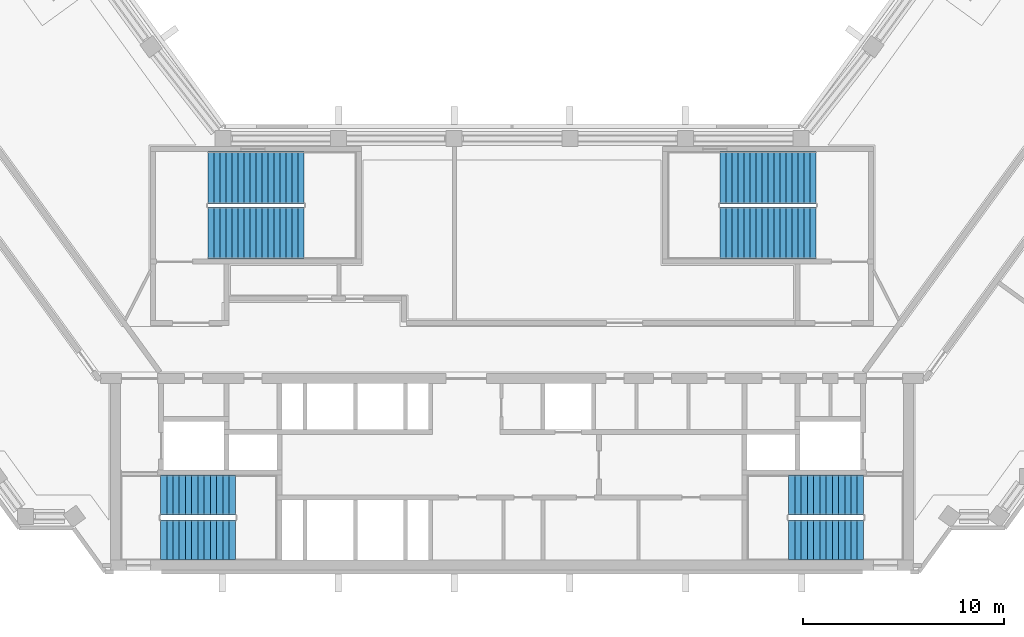
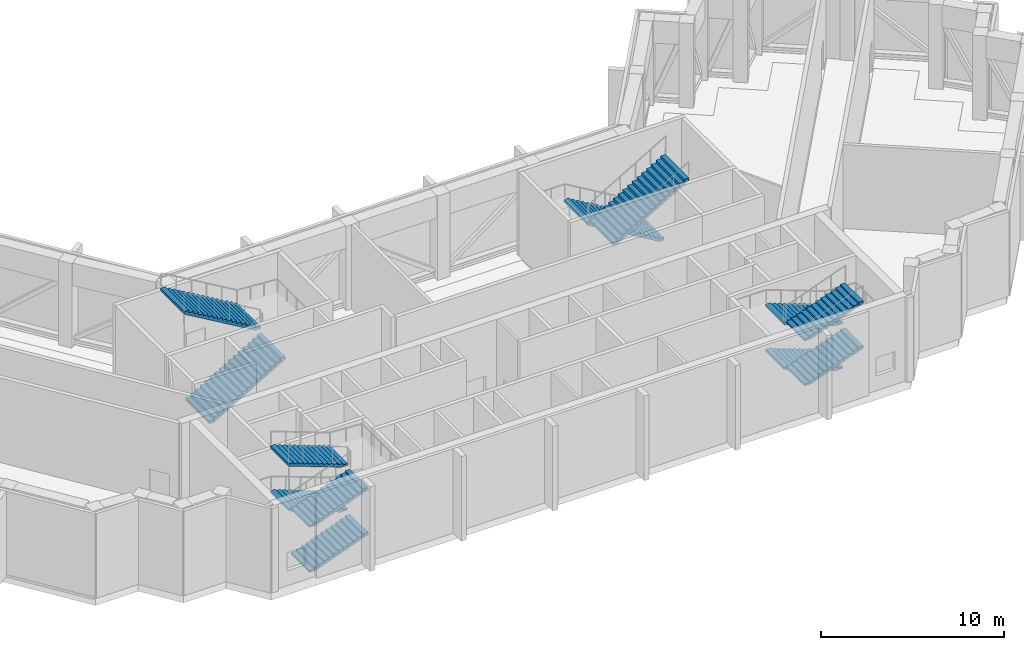
# One storey, part 12 of 15: 12 stair flights, 4 elements without a shape of their own.
"""IFC4 building model written with IfcOpenShell, lengths in metres."""

import ifcopenshell
import ifcopenshell.guid

model = None  # the IFC model being written
_history = None  # IfcOwnerHistory: only IFC2X3 demands one
_inside = {}  # id of a spatial element -> (the spatial element, [elements in it])
_under = {}  # id of a project, library or spatial element -> (it, [spatial elements below it])
_declared = {}  # id of a project -> (the project, [libraries it declares])
_typed = {}  # id of a type object -> (the type object, [elements of that type])
_made_of = {}  # id of a material, layer set ... -> (it, [elements and type objects made of it])


def new_model(schema):
    """Start an empty IFC model of exactly this schema.

    Asked for "IFC4X3", IfcOpenShell would pick the latest addendum, in which some entities
    have other attributes; the version numbers below select the first issue.
    IFC2X3 requires an IfcOwnerHistory on every rooted entity: one is made here for all.
    """
    global model, _history
    if schema == "IFC4X3":
        model = ifcopenshell.file(schema_version=(4, 3, 0, 0))
    else:
        model = ifcopenshell.file(schema=schema)
    _inside.clear()
    _under.clear()
    _declared.clear()
    _typed.clear()
    _made_of.clear()
    _history = None
    if model.schema == "IFC2X3":
        org = make("IfcOrganization", Name="unknown")
        user = make(
            "IfcPersonAndOrganization",
            ThePerson=make("IfcPerson", FamilyName="unknown"),
            TheOrganization=org,
        )
        app = make(
            "IfcApplication",
            ApplicationDeveloper=org,
            Version="unknown",
            ApplicationFullName="unknown",
            ApplicationIdentifier="unknown",
        )
        _history = make(
            "IfcOwnerHistory",
            OwningUser=user,
            OwningApplication=app,
            ChangeAction="ADDED",
            CreationDate=0,
        )
    return model


def make(cls, **values):
    """One entity of the class cls with the attributes given. An attribute that is None is left unset."""
    return model.create_entity(
        cls, **{name: value for name, value in values.items() if value is not None}
    )


def rooted(cls, **values):
    """An entity with a GlobalId (a new one), such as an element, a storey or a relation."""
    return make(cls, GlobalId=ifcopenshell.guid.new(), OwnerHistory=_history, **values)


def si_unit(unit_type, name, prefix=None):
    """IfcSIUnit, for example si_unit("LENGTHUNIT", "METRE", prefix="MILLI")."""
    return make("IfcSIUnit", UnitType=unit_type, Prefix=prefix, Name=name)


def assignment(units):
    """IfcUnitAssignment: the units of a project."""
    return None if units is None else make("IfcUnitAssignment", Units=units)


def point(xyz):
    """IfcCartesianPoint."""
    return None if xyz is None else make("IfcCartesianPoint", Coordinates=xyz)


def direction(xyz):
    """IfcDirection."""
    return None if xyz is None else make("IfcDirection", DirectionRatios=xyz)


def frame(location, z_axis=None, x_axis=None):
    """IfcAxis2Placement3D, a coordinate frame: its origin and axes. An axis left out is left unset."""
    return make(
        "IfcAxis2Placement3D",
        Location=point(location),
        Axis=direction(z_axis),
        RefDirection=direction(x_axis),
    )


def origin():
    """The frame at (0, 0, 0) with its axes left unset."""
    return frame((0.0, 0.0, 0.0))


def place(relative_to, where):
    """IfcLocalPlacement: puts the frame where relative to a parent placement (None: the world)."""
    return make(
        "IfcLocalPlacement", PlacementRelTo=relative_to, RelativePlacement=where
    )


def context(
    kind, dimensions, precision=None, world=None, true_north=None, identifier=None
):
    """IfcGeometricRepresentationContext, for example the 3D "Model" context."""
    return make(
        "IfcGeometricRepresentationContext",
        ContextIdentifier=identifier,
        ContextType=kind,
        CoordinateSpaceDimension=dimensions,
        Precision=precision,
        WorldCoordinateSystem=world,
        TrueNorth=true_north,
    )


def subcontext(parent, identifier, kind, view, scale=None):
    """IfcGeometricRepresentationSubContext, for example "Body" below "Model"."""
    return make(
        "IfcGeometricRepresentationSubContext",
        ContextIdentifier=identifier,
        ContextType=kind,
        ParentContext=parent,
        TargetScale=scale,
        TargetView=view,
    )


def project(units=None, contexts=None):
    """IfcProject with its units and contexts."""
    return rooted(
        "IfcProject",
        Name="project",
        RepresentationContexts=contexts,
        UnitsInContext=assignment(units),
    )


def spatial(cls, under=None, at=None, **own):
    """A site, building, storey or space (cls), placed at a placement, below another one or the project."""
    s = rooted(cls, ObjectPlacement=at, **own)
    if under is not None:
        _under.setdefault(under.id(), (under, []))[1].append(s)
    return s


def polyline(points):
    """IfcPolyline through the points."""
    return make("IfcPolyline", Points=[point(p) for p in points])


def outline(outer, holes=None, kind="AREA"):
    """IfcArbitraryClosedProfileDef: a profile drawn as a closed curve; with holes, ...WithVoids."""
    if holes is None:
        return make("IfcArbitraryClosedProfileDef", ProfileType=kind, OuterCurve=outer)
    return make(
        "IfcArbitraryProfileDefWithVoids",
        ProfileType=kind,
        OuterCurve=outer,
        InnerCurves=holes,
    )


def extrude(swept, where, along, depth):
    """IfcExtrudedAreaSolid: the profile swept, set in the frame where, extruded along a direction by depth."""
    return make(
        "IfcExtrudedAreaSolid",
        SweptArea=swept,
        Position=where,
        ExtrudedDirection=direction(along),
        Depth=depth,
    )


def shape(context_of_items, identifier, shape_type, items):
    """IfcShapeRepresentation: the items that make up one representation, for example the "Body"."""
    return make(
        "IfcShapeRepresentation",
        ContextOfItems=context_of_items,
        RepresentationIdentifier=identifier,
        RepresentationType=shape_type,
        Items=items,
    )


def material(Name=None, Category=None):
    """IfcMaterial."""
    return make("IfcMaterial", Name=Name, Category=Category)


def made_of(thing, what):
    """Note that an element or type object is made of a material, layer set ...; save() writes the relation."""
    if what is not None:
        _made_of.setdefault(what.id(), (what, []))[1].append(thing)
    return thing


def type_object(cls, material=None, **own):
    """A type object (cls), such as IfcWallType, which elements share."""
    return made_of(rooted(cls, **own), material)


def element(
    cls,
    number,
    at=None,
    inside=None,
    cuts=None,
    type_object=None,
    material=None,
    context=None,
    identifier="Body",
    shape_type=None,
    held_by="IfcProductDefinitionShape",
    body=None,
    shapes=None,
    **own,
):
    """One element of the class cls, such as IfcWall. Its Tag is "e" and its number.

    at: its placement. inside: the storey or other place that contains it. cuts: it is an
    opening in that element (IfcRelVoidsElement). A single representation is given by context,
    identifier, shape_type and body (its items); several are given by shapes. held_by: the class
    of the entity that holds the representations. save() writes the other relations.
    """
    e = rooted(cls, Tag="e%d" % number, ObjectPlacement=at, **own)
    if body is not None:
        shapes = [shape(context, identifier, shape_type, body)]
    if shapes is not None:
        e.Representation = make(held_by, Representations=shapes)
    if inside is not None:
        _inside.setdefault(inside.id(), (inside, []))[1].append(e)
    if cuts is not None:
        rooted(
            "IfcRelVoidsElement", RelatingBuildingElement=cuts, RelatedOpeningElement=e
        )
    if type_object is not None:
        _typed.setdefault(type_object.id(), (type_object, []))[1].append(e)
    return made_of(e, material)


def aggregate(whole, parts):
    """IfcRelAggregates: a whole, such as a stair, and the parts it consists of."""
    return rooted("IfcRelAggregates", RelatingObject=whole, RelatedObjects=parts)


def save(model, path):
    """Write the relations noted so far, then the file.

    IfcRelAggregates (storeys below a building ...), IfcRelContainedInSpatialStructure (elements
    in a storey), IfcRelDefinesByType, IfcRelAssociatesMaterial and IfcRelDeclares: one each for
    every whole, place, type object, material and project.
    """
    for whole, parts in _under.values():
        aggregate(whole, parts)
    for where, things in _inside.values():
        rooted(
            "IfcRelContainedInSpatialStructure",
            RelatedElements=things,
            RelatingStructure=where,
        )
    for kind, things in _typed.values():
        rooted("IfcRelDefinesByType", RelatedObjects=things, RelatingType=kind)
    for what, things in _made_of.values():
        rooted("IfcRelAssociatesMaterial", RelatedObjects=things, RelatingMaterial=what)
    for by, libraries in _declared.values():
        rooted("IfcRelDeclares", RelatingContext=by, RelatedDefinitions=libraries)
    model.write(path)


model = new_model("IFC4")

# Units and contexts
model_context = context("Model", 3, precision=1e-05, world=origin(), true_north=direction((0.0, 1.0)))
body_context = subcontext(model_context, "Body", "Model", "MODEL_VIEW")
ifc_project = project(units=[si_unit("LENGTHUNIT", "METRE"), si_unit("AREAUNIT", "SQUARE_METRE"), si_unit("VOLUMEUNIT", "CUBIC_METRE"), si_unit("PLANEANGLEUNIT", "RADIAN"), si_unit("MASSUNIT", "GRAM", prefix="KILO")], contexts=[model_context])

# Site, building, storey
site_placement = place(None, origin())
site = spatial("IfcSite", under=ifc_project, at=site_placement, CompositionType="ELEMENT")
building_placement = place(site_placement, origin())
building = spatial("IfcBuilding", under=site, at=building_placement, Name="Quipu Civic Tower", CompositionType="ELEMENT")
storey_placement = place(building_placement, frame((0.0, 0.0, 301.0)))
storey = spatial("IfcBuildingStorey", under=building, at=storey_placement, Name="L70", CompositionType="ELEMENT", Elevation=301.0)

# Stair, stair flights
ifc_material_1 = material(Name="Concrete C40/50", Category="concrete")
stair_type_1 = type_object("IfcStairType", Name="Half turn stair 2000", PredefinedType="HALF_TURN_STAIR", material=ifc_material_1)
stair_1_placement = place(storey_placement, origin())
stair_1 = element("IfcStair", 1, at=stair_1_placement, inside=storey, type_object=stair_type_1, Name="Exit stair 1", PredefinedType="HALF_TURN_STAIR")
ifc_material_2 = material(Name="Concrete C40/50", Category="concrete")
stair_flight_type_1 = type_object("IfcStairFlightType", Name="Stair flight 2000", PredefinedType="STRAIGHT", material=ifc_material_2)
stair_flight_1_placement = place(storey_placement, frame((-17.5, -9.5, 0.0), z_axis=(0.0, 0.0, 1.0), x_axis=(1.0, 0.0, 0.0)))
stair_flight_1 = element("IfcStairFlight", 2, at=stair_flight_1_placement, type_object=stair_flight_type_1, Name="ST-1 flight 1", NumberOfRisers=13, NumberOfTreads=12, PredefinedType="STRAIGHT", RiserHeight=0.115384615, TreadLength=0.31, context=body_context, shape_type="SweptSolid", body=[
    extrude(outline(polyline([(0.0, 0.0), (0.0, 0.115478515625), (0.31005859375, 0.115478515625), (0.31005859375, 0.230712890625), (0.6201171875, 0.230712890625), (0.6201171875, 0.34619140625), (0.929931640625, 0.34619140625), (0.929931640625, 0.46142578125), (1.239990234375, 0.46142578125), (1.239990234375, 0.576904296875), (1.550048828125, 0.576904296875), (1.550048828125, 0.6923828125), (1.860107421875, 0.6923828125), (1.860107421875, 0.8076171875), (2.169921875, 0.8076171875), (2.169921875, 0.923095703125), (2.47998046875, 0.923095703125), (2.47998046875, 1.03857421875), (2.7900390625, 1.03857421875), (2.7900390625, 1.15380859375), (3.10009765625, 1.15380859375), (3.10009765625, 1.269287109375), (3.409912109375, 1.269287109375), (3.409912109375, 1.384521484375), (3.719970703125, 1.384521484375), (3.719970703125, 1.5), (3.719970703125, 1.224609375), (0.4296875, 0.0), (0.0, 0.0)])), frame((0.0, 1.0, 0.0), z_axis=(0.0, -1.0, 0.0), x_axis=(1.0, 0.0, 0.0)), (0.0, 0.0, 1.0), 2.0),
])
stair_flight_2_placement = place(storey_placement, frame((-13.780029296875, -7.25, 1.5), z_axis=(0.0, 0.0, 1.0), x_axis=(-1.0, 0.0, 0.0)))
stair_flight_2 = element("IfcStairFlight", 3, at=stair_flight_2_placement, type_object=stair_flight_type_1, Name="ST-1 flight 2", NumberOfRisers=13, NumberOfTreads=12, PredefinedType="STRAIGHT", RiserHeight=0.115384615, TreadLength=0.31, context=body_context, shape_type="SweptSolid", body=[
    extrude(outline(polyline([(0.0, 0.0), (0.0, 0.115478515625), (0.31005859375, 0.115478515625), (0.31005859375, 0.230712890625), (0.6201171875, 0.230712890625), (0.6201171875, 0.34619140625), (0.929931640625, 0.34619140625), (0.929931640625, 0.46142578125), (1.239990234375, 0.46142578125), (1.239990234375, 0.576904296875), (1.550048828125, 0.576904296875), (1.550048828125, 0.6923828125), (1.860107421875, 0.6923828125), (1.860107421875, 0.8076171875), (2.169921875, 0.8076171875), (2.169921875, 0.923095703125), (2.47998046875, 0.923095703125), (2.47998046875, 1.03857421875), (2.7900390625, 1.03857421875), (2.7900390625, 1.15380859375), (3.10009765625, 1.15380859375), (3.10009765625, 1.269287109375), (3.409912109375, 1.269287109375), (3.409912109375, 1.384521484375), (3.719970703125, 1.384521484375), (3.719970703125, 1.5), (3.719970703125, 1.224609375), (0.4296875, 0.0), (0.0, 0.0)])), frame((0.0, 1.0, 0.0), z_axis=(0.0, -1.0, 0.0), x_axis=(1.0, 0.0, 0.0)), (0.0, 0.0, 1.0), 2.0),
])
stair_flight_3_placement = place(storey_placement, frame((-17.5, -9.5, 3.0), z_axis=(0.0, 0.0, 1.0), x_axis=(1.0, 0.0, 0.0)))
stair_flight_3 = element("IfcStairFlight", 4, at=stair_flight_3_placement, type_object=stair_flight_type_1, Name="ST-1 flight 3", NumberOfRisers=13, NumberOfTreads=12, PredefinedType="STRAIGHT", RiserHeight=0.115384615, TreadLength=0.31, context=body_context, shape_type="SweptSolid", body=[
    extrude(outline(polyline([(0.0, 0.0), (0.0, 0.115478515625), (0.31005859375, 0.115478515625), (0.31005859375, 0.230712890625), (0.6201171875, 0.230712890625), (0.6201171875, 0.34619140625), (0.929931640625, 0.34619140625), (0.929931640625, 0.46142578125), (1.239990234375, 0.46142578125), (1.239990234375, 0.576904296875), (1.550048828125, 0.576904296875), (1.550048828125, 0.6923828125), (1.860107421875, 0.6923828125), (1.860107421875, 0.8076171875), (2.169921875, 0.8076171875), (2.169921875, 0.923095703125), (2.47998046875, 0.923095703125), (2.47998046875, 1.03857421875), (2.7900390625, 1.03857421875), (2.7900390625, 1.15380859375), (3.10009765625, 1.15380859375), (3.10009765625, 1.269287109375), (3.409912109375, 1.269287109375), (3.409912109375, 1.384521484375), (3.719970703125, 1.384521484375), (3.719970703125, 1.5), (3.719970703125, 1.224609375), (0.4296875, 0.0), (0.0, 0.0)])), frame((0.0, 1.0, 0.0), z_axis=(0.0, -1.0, 0.0), x_axis=(1.0, 0.0, 0.0)), (0.0, 0.0, 1.0), 2.0),
])
stair_flight_4_placement = place(storey_placement, frame((-13.780029296875, -7.25, 4.5), z_axis=(0.0, 0.0, 1.0), x_axis=(-1.0, 0.0, 0.0)))
stair_flight_4 = element("IfcStairFlight", 5, at=stair_flight_4_placement, type_object=stair_flight_type_1, Name="ST-1 flight 4", NumberOfRisers=13, NumberOfTreads=12, PredefinedType="STRAIGHT", RiserHeight=0.115384615, TreadLength=0.31, context=body_context, shape_type="SweptSolid", body=[
    extrude(outline(polyline([(0.0, 0.0), (0.0, 0.115478515625), (0.31005859375, 0.115478515625), (0.31005859375, 0.230712890625), (0.6201171875, 0.230712890625), (0.6201171875, 0.34619140625), (0.929931640625, 0.34619140625), (0.929931640625, 0.46142578125), (1.239990234375, 0.46142578125), (1.239990234375, 0.576904296875), (1.550048828125, 0.576904296875), (1.550048828125, 0.6923828125), (1.860107421875, 0.6923828125), (1.860107421875, 0.8076171875), (2.169921875, 0.8076171875), (2.169921875, 0.923095703125), (2.47998046875, 0.923095703125), (2.47998046875, 1.03857421875), (2.7900390625, 1.03857421875), (2.7900390625, 1.15380859375), (3.10009765625, 1.15380859375), (3.10009765625, 1.269287109375), (3.409912109375, 1.269287109375), (3.409912109375, 1.384521484375), (3.719970703125, 1.384521484375), (3.719970703125, 1.5), (3.719970703125, 1.224609375), (0.4296875, 0.0), (0.0, 0.0)])), frame((0.0, 1.0, 0.0), z_axis=(0.0, -1.0, 0.0), x_axis=(1.0, 0.0, 0.0)), (0.0, 0.0, 1.0), 2.0),
])
aggregate(stair_1, [stair_flight_1, stair_flight_2, stair_flight_3, stair_flight_4])

stair_2_placement = place(storey_placement, origin())
stair_2 = element("IfcStair", 6, at=stair_2_placement, inside=storey, type_object=stair_type_1, Name="Exit stair 2", PredefinedType="HALF_TURN_STAIR")
stair_flight_5_placement = place(storey_placement, frame((17.5, -7.25, 0.0), z_axis=(0.0, 0.0, 1.0), x_axis=(-1.0, 0.0, 0.0)))
stair_flight_5 = element("IfcStairFlight", 7, at=stair_flight_5_placement, type_object=stair_flight_type_1, Name="ST-2 flight 1", NumberOfRisers=13, NumberOfTreads=12, PredefinedType="STRAIGHT", RiserHeight=0.115384615, TreadLength=0.31, context=body_context, shape_type="SweptSolid", body=[
    extrude(outline(polyline([(0.0, 0.0), (0.0, 0.115478515625), (0.31005859375, 0.115478515625), (0.31005859375, 0.230712890625), (0.6201171875, 0.230712890625), (0.6201171875, 0.34619140625), (0.929931640625, 0.34619140625), (0.929931640625, 0.46142578125), (1.239990234375, 0.46142578125), (1.239990234375, 0.576904296875), (1.550048828125, 0.576904296875), (1.550048828125, 0.6923828125), (1.860107421875, 0.6923828125), (1.860107421875, 0.8076171875), (2.169921875, 0.8076171875), (2.169921875, 0.923095703125), (2.47998046875, 0.923095703125), (2.47998046875, 1.03857421875), (2.7900390625, 1.03857421875), (2.7900390625, 1.15380859375), (3.10009765625, 1.15380859375), (3.10009765625, 1.269287109375), (3.409912109375, 1.269287109375), (3.409912109375, 1.384521484375), (3.719970703125, 1.384521484375), (3.719970703125, 1.5), (3.719970703125, 1.224609375), (0.4296875, 0.0), (0.0, 0.0)])), frame((0.0, 1.0, 0.0), z_axis=(0.0, -1.0, 0.0), x_axis=(1.0, 0.0, 0.0)), (0.0, 0.0, 1.0), 2.0),
])
stair_flight_6_placement = place(storey_placement, frame((13.780029296875, -9.5, 1.5), z_axis=(0.0, 0.0, 1.0), x_axis=(1.0, 0.0, 0.0)))
stair_flight_6 = element("IfcStairFlight", 8, at=stair_flight_6_placement, type_object=stair_flight_type_1, Name="ST-2 flight 2", NumberOfRisers=13, NumberOfTreads=12, PredefinedType="STRAIGHT", RiserHeight=0.115384615, TreadLength=0.31, context=body_context, shape_type="SweptSolid", body=[
    extrude(outline(polyline([(0.0, 0.0), (0.0, 0.115478515625), (0.31005859375, 0.115478515625), (0.31005859375, 0.230712890625), (0.6201171875, 0.230712890625), (0.6201171875, 0.34619140625), (0.929931640625, 0.34619140625), (0.929931640625, 0.46142578125), (1.239990234375, 0.46142578125), (1.239990234375, 0.576904296875), (1.550048828125, 0.576904296875), (1.550048828125, 0.6923828125), (1.860107421875, 0.6923828125), (1.860107421875, 0.8076171875), (2.169921875, 0.8076171875), (2.169921875, 0.923095703125), (2.47998046875, 0.923095703125), (2.47998046875, 1.03857421875), (2.7900390625, 1.03857421875), (2.7900390625, 1.15380859375), (3.10009765625, 1.15380859375), (3.10009765625, 1.269287109375), (3.409912109375, 1.269287109375), (3.409912109375, 1.384521484375), (3.719970703125, 1.384521484375), (3.719970703125, 1.5), (3.719970703125, 1.224609375), (0.4296875, 0.0), (0.0, 0.0)])), frame((0.0, 1.0, 0.0), z_axis=(0.0, -1.0, 0.0), x_axis=(1.0, 0.0, 0.0)), (0.0, 0.0, 1.0), 2.0),
])
stair_flight_7_placement = place(storey_placement, frame((17.5, -7.25, 3.0), z_axis=(0.0, 0.0, 1.0), x_axis=(-1.0, 0.0, 0.0)))
stair_flight_7 = element("IfcStairFlight", 9, at=stair_flight_7_placement, type_object=stair_flight_type_1, Name="ST-2 flight 3", NumberOfRisers=13, NumberOfTreads=12, PredefinedType="STRAIGHT", RiserHeight=0.115384615, TreadLength=0.31, context=body_context, shape_type="SweptSolid", body=[
    extrude(outline(polyline([(0.0, 0.0), (0.0, 0.115478515625), (0.31005859375, 0.115478515625), (0.31005859375, 0.230712890625), (0.6201171875, 0.230712890625), (0.6201171875, 0.34619140625), (0.929931640625, 0.34619140625), (0.929931640625, 0.46142578125), (1.239990234375, 0.46142578125), (1.239990234375, 0.576904296875), (1.550048828125, 0.576904296875), (1.550048828125, 0.6923828125), (1.860107421875, 0.6923828125), (1.860107421875, 0.8076171875), (2.169921875, 0.8076171875), (2.169921875, 0.923095703125), (2.47998046875, 0.923095703125), (2.47998046875, 1.03857421875), (2.7900390625, 1.03857421875), (2.7900390625, 1.15380859375), (3.10009765625, 1.15380859375), (3.10009765625, 1.269287109375), (3.409912109375, 1.269287109375), (3.409912109375, 1.384521484375), (3.719970703125, 1.384521484375), (3.719970703125, 1.5), (3.719970703125, 1.224609375), (0.4296875, 0.0), (0.0, 0.0)])), frame((0.0, 1.0, 0.0), z_axis=(0.0, -1.0, 0.0), x_axis=(1.0, 0.0, 0.0)), (0.0, 0.0, 1.0), 2.0),
])
stair_flight_8_placement = place(storey_placement, frame((13.780029296875, -9.5, 4.5), z_axis=(0.0, 0.0, 1.0), x_axis=(1.0, 0.0, 0.0)))
stair_flight_8 = element("IfcStairFlight", 10, at=stair_flight_8_placement, type_object=stair_flight_type_1, Name="ST-2 flight 4", NumberOfRisers=13, NumberOfTreads=12, PredefinedType="STRAIGHT", RiserHeight=0.115384615, TreadLength=0.31, context=body_context, shape_type="SweptSolid", body=[
    extrude(outline(polyline([(0.0, 0.0), (0.0, 0.115478515625), (0.31005859375, 0.115478515625), (0.31005859375, 0.230712890625), (0.6201171875, 0.230712890625), (0.6201171875, 0.34619140625), (0.929931640625, 0.34619140625), (0.929931640625, 0.46142578125), (1.239990234375, 0.46142578125), (1.239990234375, 0.576904296875), (1.550048828125, 0.576904296875), (1.550048828125, 0.6923828125), (1.860107421875, 0.6923828125), (1.860107421875, 0.8076171875), (2.169921875, 0.8076171875), (2.169921875, 0.923095703125), (2.47998046875, 0.923095703125), (2.47998046875, 1.03857421875), (2.7900390625, 1.03857421875), (2.7900390625, 1.15380859375), (3.10009765625, 1.15380859375), (3.10009765625, 1.269287109375), (3.409912109375, 1.269287109375), (3.409912109375, 1.384521484375), (3.719970703125, 1.384521484375), (3.719970703125, 1.5), (3.719970703125, 1.224609375), (0.4296875, 0.0), (0.0, 0.0)])), frame((0.0, 1.0, 0.0), z_axis=(0.0, -1.0, 0.0), x_axis=(1.0, 0.0, 0.0)), (0.0, 0.0, 1.0), 2.0),
])
aggregate(stair_2, [stair_flight_5, stair_flight_6, stair_flight_7, stair_flight_8])

ifc_material_3 = material(Name="Concrete C40/50", Category="concrete")
stair_type_2 = type_object("IfcStairType", Name="Half turn stair 2600", PredefinedType="HALF_TURN_STAIR", material=ifc_material_3)
stair_3_placement = place(storey_placement, origin())
stair_3 = element("IfcStair", 11, at=stair_3_placement, inside=storey, type_object=stair_type_2, Name="Exit stair 3", PredefinedType="HALF_TURN_STAIR")
ifc_material_4 = material(Name="Concrete C40/50", Category="concrete")
stair_flight_type_2 = type_object("IfcStairFlightType", Name="Stair flight 2600", PredefinedType="STRAIGHT", material=ifc_material_4)
stair_flight_9_placement = place(storey_placement, frame((-15.14990234375, 5.800048828125, 0.0), z_axis=(0.0, 0.0, 1.0), x_axis=(1.0, 0.0, 0.0)))
stair_flight_9 = element("IfcStairFlight", 12, at=stair_flight_9_placement, type_object=stair_flight_type_2, Name="ST-3 flight 1", NumberOfRisers=17, NumberOfTreads=16, PredefinedType="STRAIGHT", RiserHeight=0.176470588, TreadLength=0.3, context=body_context, shape_type="SweptSolid", body=[
    extrude(outline(polyline([(0.0, 0.0), (0.0, 0.176513671875), (0.300048828125, 0.176513671875), (0.300048828125, 0.35302734375), (0.60009765625, 0.35302734375), (0.60009765625, 0.529296875), (0.89990234375, 0.529296875), (0.89990234375, 0.705810546875), (1.199951171875, 0.705810546875), (1.199951171875, 0.88232421875), (1.5, 0.88232421875), (1.5, 1.058837890625), (1.800048828125, 1.058837890625), (1.800048828125, 1.2353515625), (2.10009765625, 1.2353515625), (2.10009765625, 1.411865234375), (2.39990234375, 1.411865234375), (2.39990234375, 1.588134765625), (2.699951171875, 1.588134765625), (2.699951171875, 1.7646484375), (3.0, 1.7646484375), (3.0, 1.941162109375), (3.300048828125, 1.941162109375), (3.300048828125, 2.11767578125), (3.60009765625, 2.11767578125), (3.60009765625, 2.294189453125), (3.89990234375, 2.294189453125), (3.89990234375, 2.470703125), (4.199951171875, 2.470703125), (4.199951171875, 2.64697265625), (4.5, 2.64697265625), (4.5, 2.823486328125), (4.800048828125, 2.823486328125), (4.800048828125, 3.0), (4.800048828125, 2.649658203125), (0.295654296875, 0.0), (0.0, 0.0)])), frame((0.0, 1.300048828125, 0.0), z_axis=(0.0, -1.0, 0.0), x_axis=(1.0, 0.0, 0.0)), (0.0, 0.0, 1.0), 2.60009765625),
])
stair_flight_10_placement = place(storey_placement, frame((-10.35009765625, 8.550048828125, 3.0), z_axis=(0.0, 0.0, 1.0), x_axis=(-1.0, 0.0, 0.0)))
stair_flight_10 = element("IfcStairFlight", 13, at=stair_flight_10_placement, type_object=stair_flight_type_2, Name="ST-3 flight 2", NumberOfRisers=17, NumberOfTreads=16, PredefinedType="STRAIGHT", RiserHeight=0.176470588, TreadLength=0.3, context=body_context, shape_type="SweptSolid", body=[
    extrude(outline(polyline([(0.0, 0.0), (0.0, 0.176513671875), (0.300048828125, 0.176513671875), (0.300048828125, 0.35302734375), (0.60009765625, 0.35302734375), (0.60009765625, 0.529296875), (0.89990234375, 0.529296875), (0.89990234375, 0.705810546875), (1.199951171875, 0.705810546875), (1.199951171875, 0.88232421875), (1.5, 0.88232421875), (1.5, 1.058837890625), (1.800048828125, 1.058837890625), (1.800048828125, 1.2353515625), (2.10009765625, 1.2353515625), (2.10009765625, 1.411865234375), (2.39990234375, 1.411865234375), (2.39990234375, 1.588134765625), (2.699951171875, 1.588134765625), (2.699951171875, 1.7646484375), (3.0, 1.7646484375), (3.0, 1.941162109375), (3.300048828125, 1.941162109375), (3.300048828125, 2.11767578125), (3.60009765625, 2.11767578125), (3.60009765625, 2.294189453125), (3.89990234375, 2.294189453125), (3.89990234375, 2.470703125), (4.199951171875, 2.470703125), (4.199951171875, 2.64697265625), (4.5, 2.64697265625), (4.5, 2.823486328125), (4.800048828125, 2.823486328125), (4.800048828125, 3.0), (4.800048828125, 2.649658203125), (0.295654296875, 0.0), (0.0, 0.0)])), frame((0.0, 1.300048828125, 0.0), z_axis=(0.0, -1.0, 0.0), x_axis=(1.0, 0.0, 0.0)), (0.0, 0.0, 1.0), 2.60009765625),
])
aggregate(stair_3, [stair_flight_9, stair_flight_10])

stair_4_placement = place(storey_placement, origin())
stair_4 = element("IfcStair", 14, at=stair_4_placement, inside=storey, type_object=stair_type_2, Name="Exit stair 4", PredefinedType="HALF_TURN_STAIR")
stair_flight_11_placement = place(storey_placement, frame((15.14990234375, 8.550048828125, 0.0), z_axis=(0.0, 0.0, 1.0), x_axis=(-1.0, 0.0, 0.0)))
stair_flight_11 = element("IfcStairFlight", 15, at=stair_flight_11_placement, type_object=stair_flight_type_2, Name="ST-4 flight 1", NumberOfRisers=17, NumberOfTreads=16, PredefinedType="STRAIGHT", RiserHeight=0.176470588, TreadLength=0.3, context=body_context, shape_type="SweptSolid", body=[
    extrude(outline(polyline([(0.0, 0.0), (0.0, 0.176513671875), (0.300048828125, 0.176513671875), (0.300048828125, 0.35302734375), (0.60009765625, 0.35302734375), (0.60009765625, 0.529296875), (0.89990234375, 0.529296875), (0.89990234375, 0.705810546875), (1.199951171875, 0.705810546875), (1.199951171875, 0.88232421875), (1.5, 0.88232421875), (1.5, 1.058837890625), (1.800048828125, 1.058837890625), (1.800048828125, 1.2353515625), (2.10009765625, 1.2353515625), (2.10009765625, 1.411865234375), (2.39990234375, 1.411865234375), (2.39990234375, 1.588134765625), (2.699951171875, 1.588134765625), (2.699951171875, 1.7646484375), (3.0, 1.7646484375), (3.0, 1.941162109375), (3.300048828125, 1.941162109375), (3.300048828125, 2.11767578125), (3.60009765625, 2.11767578125), (3.60009765625, 2.294189453125), (3.89990234375, 2.294189453125), (3.89990234375, 2.470703125), (4.199951171875, 2.470703125), (4.199951171875, 2.64697265625), (4.5, 2.64697265625), (4.5, 2.823486328125), (4.800048828125, 2.823486328125), (4.800048828125, 3.0), (4.800048828125, 2.649658203125), (0.295654296875, 0.0), (0.0, 0.0)])), frame((0.0, 1.300048828125, 0.0), z_axis=(0.0, -1.0, 0.0), x_axis=(1.0, 0.0, 0.0)), (0.0, 0.0, 1.0), 2.60009765625),
])
stair_flight_12_placement = place(storey_placement, frame((10.35009765625, 5.800048828125, 3.0), z_axis=(0.0, 0.0, 1.0), x_axis=(1.0, 0.0, 0.0)))
stair_flight_12 = element("IfcStairFlight", 16, at=stair_flight_12_placement, type_object=stair_flight_type_2, Name="ST-4 flight 2", NumberOfRisers=17, NumberOfTreads=16, PredefinedType="STRAIGHT", RiserHeight=0.176470588, TreadLength=0.3, context=body_context, shape_type="SweptSolid", body=[
    extrude(outline(polyline([(0.0, 0.0), (0.0, 0.176513671875), (0.300048828125, 0.176513671875), (0.300048828125, 0.35302734375), (0.60009765625, 0.35302734375), (0.60009765625, 0.529296875), (0.89990234375, 0.529296875), (0.89990234375, 0.705810546875), (1.199951171875, 0.705810546875), (1.199951171875, 0.88232421875), (1.5, 0.88232421875), (1.5, 1.058837890625), (1.800048828125, 1.058837890625), (1.800048828125, 1.2353515625), (2.10009765625, 1.2353515625), (2.10009765625, 1.411865234375), (2.39990234375, 1.411865234375), (2.39990234375, 1.588134765625), (2.699951171875, 1.588134765625), (2.699951171875, 1.7646484375), (3.0, 1.7646484375), (3.0, 1.941162109375), (3.300048828125, 1.941162109375), (3.300048828125, 2.11767578125), (3.60009765625, 2.11767578125), (3.60009765625, 2.294189453125), (3.89990234375, 2.294189453125), (3.89990234375, 2.470703125), (4.199951171875, 2.470703125), (4.199951171875, 2.64697265625), (4.5, 2.64697265625), (4.5, 2.823486328125), (4.800048828125, 2.823486328125), (4.800048828125, 3.0), (4.800048828125, 2.649658203125), (0.295654296875, 0.0), (0.0, 0.0)])), frame((0.0, 1.300048828125, 0.0), z_axis=(0.0, -1.0, 0.0), x_axis=(1.0, 0.0, 0.0)), (0.0, 0.0, 1.0), 2.60009765625),
])
aggregate(stair_4, [stair_flight_11, stair_flight_12])

save(model, "model.ifc")
